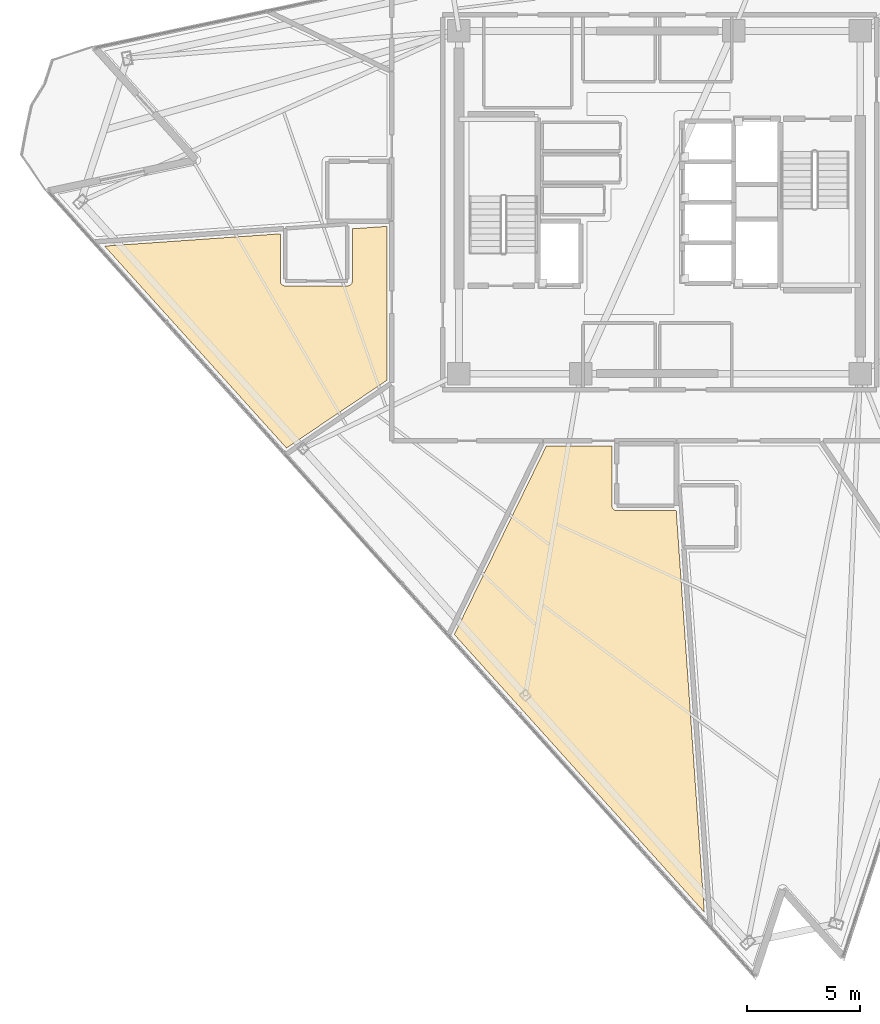
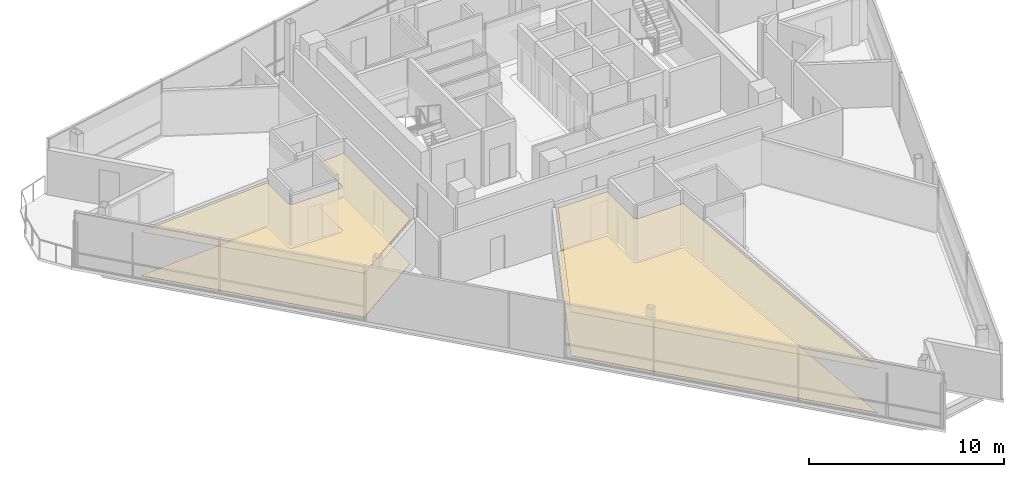
# One storey, part 14 of 18: 4 coverings.
"""IFC4 building model written with IfcOpenShell, lengths in metres."""

from ifc_helpers import new_model, si_unit, direction, frame, origin, place, context, subcontext, project, spatial, polyline, outline, extrude, material, layer, layer_set, type_object, element, save


model = new_model("IFC4")

# Units and contexts
model_context = context("Model", 3, precision=1e-05, world=origin(), true_north=direction((0.0, 1.0)))
body_context = subcontext(model_context, "Body", "Model", "MODEL_VIEW")
ifc_project = project(units=[si_unit("LENGTHUNIT", "METRE"), si_unit("AREAUNIT", "SQUARE_METRE"), si_unit("VOLUMEUNIT", "CUBIC_METRE"), si_unit("PLANEANGLEUNIT", "RADIAN"), si_unit("MASSUNIT", "GRAM", prefix="KILO")], contexts=[model_context])

# Site, building, storey
site_placement = place(None, origin())
site = spatial("IfcSite", under=ifc_project, at=site_placement, CompositionType="ELEMENT")
building_placement = place(site_placement, origin())
building = spatial("IfcBuilding", under=site, at=building_placement, Name="Tharavind Bronze Gate", CompositionType="ELEMENT")
storey_placement = place(building_placement, frame((0.0, 0.0, 287.050048828125)))
storey = spatial("IfcBuildingStorey", under=building, at=storey_placement, Name="L74", CompositionType="ELEMENT", Elevation=287.050048828125)

# Coverings
ifc_material_1 = material(Name="Engineered Oak & Carpet Tile", Category="wood")
ifc_layer_1 = layer(ifc_material_1, 0.02490234375)
ifc_layer_set_1 = layer_set([ifc_layer_1], Name="Engineered Oak & Carpet Tile")
covering_type_1 = type_object("IfcCoveringType", Name="ENGINEERED TIMBER FLOORING", PredefinedType="FLOORING", material=ifc_layer_set_1)
covering_1_placement = place(storey_placement, origin())
element("IfcCovering", 1, at=covering_1_placement, inside=storey, type_object=covering_type_1, Name="L74-RM-06 floor finish", PredefinedType="FLOORING", context=body_context, shape_type="SweptSolid", body=[
    extrude(outline(polyline([(-16.550537109375, -10.898193359375), (-12.10009765625, -7.896240234375), (-12.10009765625, -1.066650390625), (-13.6298828125, -1.173583984375), (-13.6298828125, -3.489013671875), (-13.631103515625, -3.5107421875), (-13.63427734375, -3.531982421875), (-13.639404296875, -3.552978515625), (-13.646728515625, -3.5732421875), (-13.656005859375, -3.5927734375), (-13.6669921875, -3.611328125), (-13.679931640625, -3.628662109375), (-13.6943359375, -3.644775390625), (-13.71044921875, -3.6591796875), (-13.727783203125, -3.672119140625), (-13.746337890625, -3.68310546875), (-13.765869140625, -3.6923828125), (-13.7861328125, -3.69970703125), (-13.80712890625, -3.704833984375), (-13.828369140625, -3.7080078125), (-13.85009765625, -3.708984375), (-16.60009765625, -3.708984375), (-16.62158203125, -3.7080078125), (-16.642822265625, -3.704833984375), (-16.663818359375, -3.69970703125), (-16.68408203125, -3.6923828125), (-16.70361328125, -3.68310546875), (-16.72216796875, -3.672119140625), (-16.739501953125, -3.6591796875), (-16.755615234375, -3.644775390625), (-16.77001953125, -3.628662109375), (-16.782958984375, -3.611328125), (-16.7939453125, -3.5927734375), (-16.80322265625, -3.5732421875), (-16.810546875, -3.552978515625), (-16.81591796875, -3.531982421875), (-16.81884765625, -3.5107421875), (-16.820068359375, -3.489013671875), (-16.820068359375, -1.396728515625), (-24.614990234375, -1.94189453125), (-16.550537109375, -10.898193359375)])), origin(), (0.0, 0.0, 1.0), 0.02490234375),
])
covering_2_placement = place(storey_placement, origin())
element("IfcCovering", 2, at=covering_2_placement, inside=storey, type_object=covering_type_1, Name="L74-RM-08 floor finish", PredefinedType="FLOORING", context=body_context, shape_type="SweptSolid", body=[
    extrude(outline(polyline([(1.980712890625, -31.479248046875), (0.7353515625, -13.669921875), (-1.90185546875, -13.669921875), (-1.92333984375, -13.6689453125), (-1.944580078125, -13.665771484375), (-1.965576171875, -13.660400390625), (-1.986083984375, -13.6533203125), (-2.005615234375, -13.64404296875), (-2.02392578125, -13.6328125), (-2.041259765625, -13.6201171875), (-2.057373046875, -13.605712890625), (-2.07177734375, -13.589599609375), (-2.084716796875, -13.572265625), (-2.095703125, -13.5537109375), (-2.10498046875, -13.5341796875), (-2.1123046875, -13.513916015625), (-2.11767578125, -13.492919921875), (-2.12060546875, -13.4716796875), (-2.121826171875, -13.449951171875), (-2.121826171875, -10.800048828125), (-5.022705078125, -10.800048828125), (-9.104248046875, -19.168212890625), (1.980712890625, -31.479248046875)])), origin(), (0.0, 0.0, 1.0), 0.02490234375),
])
ifc_material_2 = material(Name="Acoustic Gypsum Board", Category="gypsum")
ifc_layer_2 = layer(ifc_material_2, 0.030029296875)
ifc_layer_set_2 = layer_set([ifc_layer_2], Name="Acoustic Gypsum Board")
covering_type_2 = type_object("IfcCoveringType", Name="GYPSUM SUSPENDED CEILING", PredefinedType="CEILING", material=ifc_layer_set_2)
covering_3_placement = place(storey_placement, frame((0.0, 0.0, 2.75)))
element("IfcCovering", 3, at=covering_3_placement, inside=storey, type_object=covering_type_2, Name="L74-RM-06 suspended ceiling", PredefinedType="CEILING", context=body_context, shape_type="SweptSolid", body=[
    extrude(outline(polyline([(-16.550537109375, -10.898193359375), (-12.10009765625, -7.896240234375), (-12.10009765625, -1.066650390625), (-13.6298828125, -1.173583984375), (-13.6298828125, -3.489013671875), (-13.631103515625, -3.5107421875), (-13.63427734375, -3.531982421875), (-13.639404296875, -3.552978515625), (-13.646728515625, -3.5732421875), (-13.656005859375, -3.5927734375), (-13.6669921875, -3.611328125), (-13.679931640625, -3.628662109375), (-13.6943359375, -3.644775390625), (-13.71044921875, -3.6591796875), (-13.727783203125, -3.672119140625), (-13.746337890625, -3.68310546875), (-13.765869140625, -3.6923828125), (-13.7861328125, -3.69970703125), (-13.80712890625, -3.704833984375), (-13.828369140625, -3.7080078125), (-13.85009765625, -3.708984375), (-16.60009765625, -3.708984375), (-16.62158203125, -3.7080078125), (-16.642822265625, -3.704833984375), (-16.663818359375, -3.69970703125), (-16.68408203125, -3.6923828125), (-16.70361328125, -3.68310546875), (-16.72216796875, -3.672119140625), (-16.739501953125, -3.6591796875), (-16.755615234375, -3.644775390625), (-16.77001953125, -3.628662109375), (-16.782958984375, -3.611328125), (-16.7939453125, -3.5927734375), (-16.80322265625, -3.5732421875), (-16.810546875, -3.552978515625), (-16.81591796875, -3.531982421875), (-16.81884765625, -3.5107421875), (-16.820068359375, -3.489013671875), (-16.820068359375, -1.396728515625), (-24.614990234375, -1.94189453125), (-16.550537109375, -10.898193359375)])), origin(), (0.0, 0.0, 1.0), 0.034912109375),
])
covering_4_placement = place(storey_placement, frame((0.0, 0.0, 2.75)))
element("IfcCovering", 4, at=covering_4_placement, inside=storey, type_object=covering_type_2, Name="L74-RM-08 suspended ceiling", PredefinedType="CEILING", context=body_context, shape_type="SweptSolid", body=[
    extrude(outline(polyline([(1.980712890625, -31.479248046875), (0.7353515625, -13.669921875), (-1.90185546875, -13.669921875), (-1.92333984375, -13.6689453125), (-1.944580078125, -13.665771484375), (-1.965576171875, -13.660400390625), (-1.986083984375, -13.6533203125), (-2.005615234375, -13.64404296875), (-2.02392578125, -13.6328125), (-2.041259765625, -13.6201171875), (-2.057373046875, -13.605712890625), (-2.07177734375, -13.589599609375), (-2.084716796875, -13.572265625), (-2.095703125, -13.5537109375), (-2.10498046875, -13.5341796875), (-2.1123046875, -13.513916015625), (-2.11767578125, -13.492919921875), (-2.12060546875, -13.4716796875), (-2.121826171875, -13.449951171875), (-2.121826171875, -10.800048828125), (-5.022705078125, -10.800048828125), (-9.104248046875, -19.168212890625), (1.980712890625, -31.479248046875)])), origin(), (0.0, 0.0, 1.0), 0.034912109375),
])

save(model, "model.ifc")
